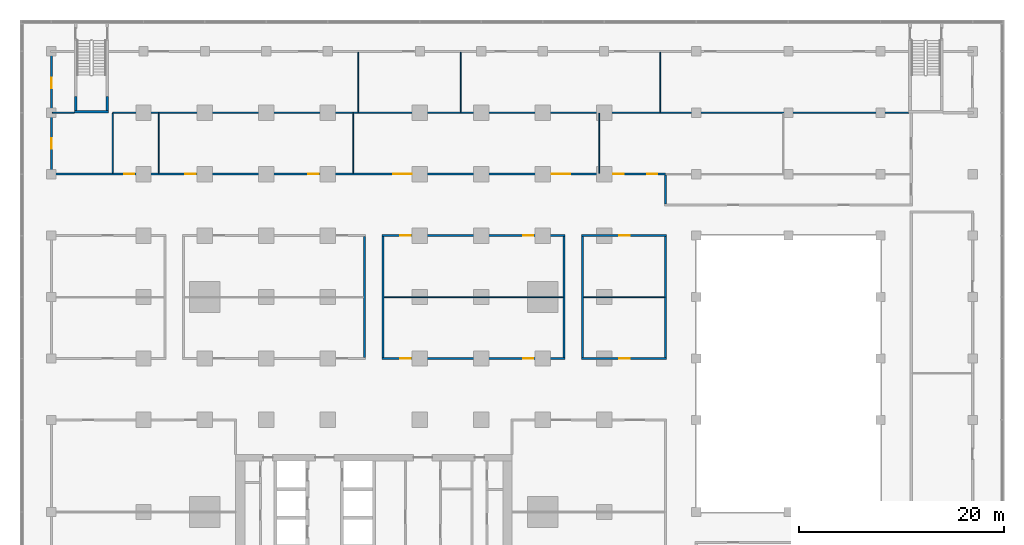
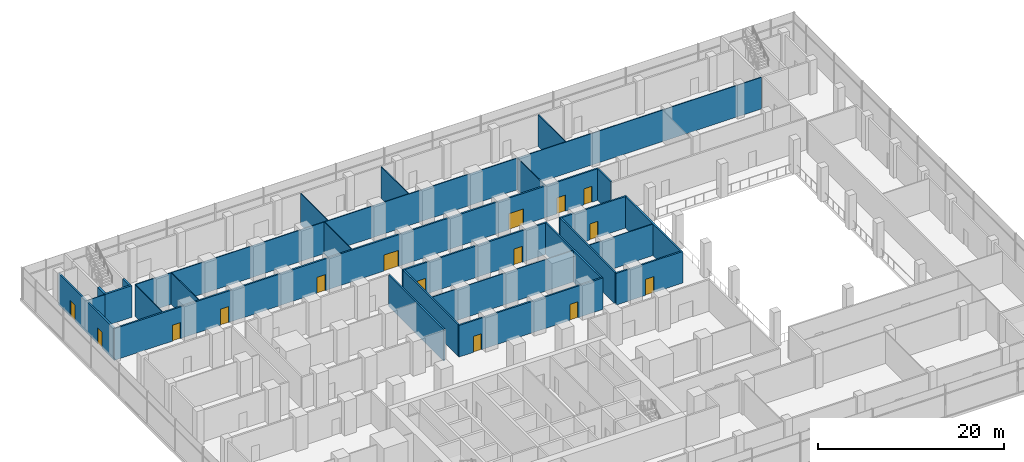
# One storey, part 16 of 22: 26 walls, 15 doors, 15 openings.
"""IFC4 building model written with IfcOpenShell, lengths in metres."""

from ifc_helpers import new_model, si_unit, direction, frame, frame_2d, origin, place, context, subcontext, project, spatial, rectangle, extrude, material, layer, layer_set, type_object, element, fill, save


model = new_model("IFC4")

# Units and contexts
model_context = context("Model", 3, precision=1e-05, world=origin(), true_north=direction((0.0, 1.0)))
body_context = subcontext(model_context, "Body", "Model", "MODEL_VIEW")
ifc_project = project(units=[si_unit("LENGTHUNIT", "METRE"), si_unit("AREAUNIT", "SQUARE_METRE"), si_unit("VOLUMEUNIT", "CUBIC_METRE"), si_unit("PLANEANGLEUNIT", "RADIAN"), si_unit("MASSUNIT", "GRAM", prefix="KILO")], contexts=[model_context])

# Site, building, storey
site_placement = place(None, origin())
site = spatial("IfcSite", under=ifc_project, at=site_placement, CompositionType="ELEMENT")
building_placement = place(site_placement, origin())
building = spatial("IfcBuilding", under=site, at=building_placement, Name="Finial Court Residences", CompositionType="ELEMENT")
storey_placement = place(building_placement, frame((0.0, 0.0, 23.5)))
storey = spatial("IfcBuildingStorey", under=building, at=storey_placement, Name="L04", CompositionType="ELEMENT", Elevation=23.5)

# Wall, openings, doors
ifc_material_1 = material(Name="Gypsum board")
ifc_layer_1 = layer(ifc_material_1, 0.02490234375)
ifc_material_2 = material(Name="Acoustic mineral wool in double frame")
ifc_layer_2 = layer(ifc_material_2, 0.14990234375)
ifc_layer_3 = layer(ifc_material_1, 0.02490234375)
ifc_layer_set_1 = layer_set([ifc_layer_1, ifc_layer_2, ifc_layer_3], Name="Corridor wall 200, 1 hour")
wall_type_1 = type_object("IfcWallType", Name="Corridor wall 200, 1 hour", PredefinedType="PARTITIONING", material=ifc_layer_set_1)
wall_1_placement = place(storey_placement, frame((0.800048828125, 1.5, 0.0), z_axis=(0.0, 0.0, 1.0), x_axis=(1.0, 0.0, 0.0)))
wall_1 = element("IfcWall", 1, at=wall_1_placement, inside=storey, type_object=wall_type_1, Name="Partition L04-020", PredefinedType="PARTITIONING", context=body_context, shape_type="SweptSolid", body=[
    extrude(rectangle(XDim=17.89990234375, YDim=0.199951171875, at=frame_2d((8.949951171875, 0.0))), origin(), (0.0, 0.0, 1.0), 4.14990234375),
])
opening_1_placement = place(wall_1_placement, frame((1.800048828125, 0.0, 0.0)))
opening_1 = element("IfcOpeningElement", 2, at=opening_1_placement, cuts=wall_1, Name="Opening L04-D020", PredefinedType="OPENING", context=body_context, shape_type="SweptSolid", body=[
    extrude(rectangle(XDim=1.0, YDim=2.10009765625, at=frame_2d((0.5, 1.050048828125))), frame((0.0, 0.10986328125, 0.0), z_axis=(0.0, -1.0, 0.0), x_axis=(1.0, 0.0, 0.0)), (0.0, 0.0, 1.0), 0.219970703125),
])
opening_2_placement = place(wall_1_placement, frame((13.800048828125, 0.0, 0.0)))
opening_2 = element("IfcOpeningElement", 3, at=opening_2_placement, cuts=wall_1, Name="Opening L04-D021", PredefinedType="OPENING", context=body_context, shape_type="SweptSolid", body=[
    extrude(rectangle(XDim=1.0, YDim=2.10009765625, at=frame_2d((0.5, 1.050048828125))), frame((0.0, 0.10986328125, 0.0), z_axis=(0.0, -1.0, 0.0), x_axis=(1.0, 0.0, 0.0)), (0.0, 0.0, 1.0), 0.219970703125),
])
ifc_material_3 = material(Name="Timber door leaf in hollow metal frame", Category="wood")
door_type_1 = type_object("IfcDoorType", Name="Fire door set 1000 x 2100, 30 minutes", OperationType="SINGLE_SWING_LEFT", PredefinedType="DOOR", material=ifc_material_3)
door_1_placement = place(opening_1_placement, origin())
door_1 = element("IfcDoor", 4, at=door_1_placement, inside=storey, type_object=door_type_1, Name="Door L04-D020", OperationType="SINGLE_SWING_RIGHT", OverallHeight=2.10009765625, OverallWidth=1.0, PredefinedType="DOOR", context=body_context, shape_type="SweptSolid", body=[
    extrude(rectangle(XDim=1.0, YDim=2.10009765625, at=frame_2d((0.5, 1.050048828125))), frame((0.0, 0.02490234375, 0.0), z_axis=(0.0, -1.0, 0.0), x_axis=(1.0, 0.0, 0.0)), (0.0, 0.0, 1.0), 0.050048828125),
])
fill(opening_1, door_1)
door_2_placement = place(opening_2_placement, origin())
door_2 = element("IfcDoor", 5, at=door_2_placement, inside=storey, type_object=door_type_1, Name="Door L04-D021", OperationType="SINGLE_SWING_LEFT", OverallHeight=2.10009765625, OverallWidth=1.0, PredefinedType="DOOR", context=body_context, shape_type="SweptSolid", body=[
    extrude(rectangle(XDim=1.0, YDim=2.10009765625, at=frame_2d((0.5, 1.050048828125))), frame((0.0, 0.02490234375, 0.0), z_axis=(0.0, -1.0, 0.0), x_axis=(1.0, 0.0, 0.0)), (0.0, 0.0, 1.0), 0.050048828125),
])
fill(opening_2, door_2)

# Wall, opening, door
wall_2_placement = place(storey_placement, frame((20.300048828125, 1.5, 0.0), z_axis=(0.0, 0.0, 1.0), x_axis=(1.0, 0.0, 0.0)))
wall_2 = element("IfcWall", 6, at=wall_2_placement, inside=storey, type_object=wall_type_1, Name="Partition L04-021", PredefinedType="PARTITIONING", context=body_context, shape_type="SweptSolid", body=[
    extrude(rectangle(XDim=8.300048828125, YDim=0.199951171875, at=frame_2d((4.14990234375, 0.0))), origin(), (0.0, 0.0, 1.0), 4.14990234375),
])
opening_3_placement = place(wall_2_placement, frame((3.699951171875, 0.0, 0.0)))
opening_3 = element("IfcOpeningElement", 7, at=opening_3_placement, cuts=wall_2, Name="Opening L04-D022", PredefinedType="OPENING", context=body_context, shape_type="SweptSolid", body=[
    extrude(rectangle(XDim=1.0, YDim=2.10009765625, at=frame_2d((0.5, 1.050048828125))), frame((0.0, 0.10986328125, 0.0), z_axis=(0.0, -1.0, 0.0), x_axis=(1.0, 0.0, 0.0)), (0.0, 0.0, 1.0), 0.219970703125),
])
door_3_placement = place(opening_3_placement, origin())
door_3 = element("IfcDoor", 8, at=door_3_placement, inside=storey, type_object=door_type_1, Name="Door L04-D022", OperationType="SINGLE_SWING_RIGHT", OverallHeight=2.10009765625, OverallWidth=1.0, PredefinedType="DOOR", context=body_context, shape_type="SweptSolid", body=[
    extrude(rectangle(XDim=1.0, YDim=2.10009765625, at=frame_2d((0.5, 1.050048828125))), frame((0.0, 0.02490234375, 0.0), z_axis=(0.0, -1.0, 0.0), x_axis=(1.0, 0.0, 0.0)), (0.0, 0.0, 1.0), 0.050048828125),
])
fill(opening_3, door_3)

# Wall, openings, doors
wall_3_placement = place(storey_placement, frame((0.800048828125, 13.5, 0.0), z_axis=(0.0, 0.0, 1.0), x_axis=(1.0, 0.0, 0.0)))
wall_3 = element("IfcWall", 9, at=wall_3_placement, inside=storey, type_object=wall_type_1, Name="Partition L04-028", PredefinedType="PARTITIONING", context=body_context, shape_type="SweptSolid", body=[
    extrude(rectangle(XDim=17.89990234375, YDim=0.199951171875, at=frame_2d((8.949951171875, 0.0))), origin(), (0.0, 0.0, 1.0), 4.14990234375),
])
opening_4_placement = place(wall_3_placement, frame((1.800048828125, 0.0, 0.0)))
opening_4 = element("IfcOpeningElement", 10, at=opening_4_placement, cuts=wall_3, Name="Opening L04-D026", PredefinedType="OPENING", context=body_context, shape_type="SweptSolid", body=[
    extrude(rectangle(XDim=1.0, YDim=2.10009765625, at=frame_2d((0.5, 1.050048828125))), frame((0.0, 0.10986328125, 0.0), z_axis=(0.0, -1.0, 0.0), x_axis=(1.0, 0.0, 0.0)), (0.0, 0.0, 1.0), 0.219970703125),
])
opening_5_placement = place(wall_3_placement, frame((13.800048828125, 0.0, 0.0)))
opening_5 = element("IfcOpeningElement", 11, at=opening_5_placement, cuts=wall_3, Name="Opening L04-D027", PredefinedType="OPENING", context=body_context, shape_type="SweptSolid", body=[
    extrude(rectangle(XDim=1.0, YDim=2.10009765625, at=frame_2d((0.5, 1.050048828125))), frame((0.0, 0.10986328125, 0.0), z_axis=(0.0, -1.0, 0.0), x_axis=(1.0, 0.0, 0.0)), (0.0, 0.0, 1.0), 0.219970703125),
])
door_4_placement = place(opening_4_placement, origin())
door_4 = element("IfcDoor", 12, at=door_4_placement, inside=storey, type_object=door_type_1, Name="Door L04-D026", OperationType="SINGLE_SWING_LEFT", OverallHeight=2.10009765625, OverallWidth=1.0, PredefinedType="DOOR", context=body_context, shape_type="SweptSolid", body=[
    extrude(rectangle(XDim=1.0, YDim=2.10009765625, at=frame_2d((0.5, 1.050048828125))), frame((0.0, 0.02490234375, 0.0), z_axis=(0.0, -1.0, 0.0), x_axis=(1.0, 0.0, 0.0)), (0.0, 0.0, 1.0), 0.050048828125),
])
fill(opening_4, door_4)
door_5_placement = place(opening_5_placement, origin())
door_5 = element("IfcDoor", 13, at=door_5_placement, inside=storey, type_object=door_type_1, Name="Door L04-D027", OperationType="SINGLE_SWING_RIGHT", OverallHeight=2.10009765625, OverallWidth=1.0, PredefinedType="DOOR", context=body_context, shape_type="SweptSolid", body=[
    extrude(rectangle(XDim=1.0, YDim=2.10009765625, at=frame_2d((0.5, 1.050048828125))), frame((0.0, 0.02490234375, 0.0), z_axis=(0.0, -1.0, 0.0), x_axis=(1.0, 0.0, 0.0)), (0.0, 0.0, 1.0), 0.050048828125),
])
fill(opening_5, door_5)

# Wall, opening, door
wall_4_placement = place(storey_placement, frame((20.300048828125, 13.5, 0.0), z_axis=(0.0, 0.0, 1.0), x_axis=(1.0, 0.0, 0.0)))
wall_4 = element("IfcWall", 14, at=wall_4_placement, inside=storey, type_object=wall_type_1, Name="Partition L04-029", PredefinedType="PARTITIONING", context=body_context, shape_type="SweptSolid", body=[
    extrude(rectangle(XDim=8.300048828125, YDim=0.199951171875, at=frame_2d((4.14990234375, 0.0))), origin(), (0.0, 0.0, 1.0), 4.14990234375),
])
opening_6_placement = place(wall_4_placement, frame((3.699951171875, 0.0, 0.0)))
opening_6 = element("IfcOpeningElement", 15, at=opening_6_placement, cuts=wall_4, Name="Opening L04-D028", PredefinedType="OPENING", context=body_context, shape_type="SweptSolid", body=[
    extrude(rectangle(XDim=1.0, YDim=2.10009765625, at=frame_2d((0.5, 1.050048828125))), frame((0.0, 0.10986328125, 0.0), z_axis=(0.0, -1.0, 0.0), x_axis=(1.0, 0.0, 0.0)), (0.0, 0.0, 1.0), 0.219970703125),
])
door_6_placement = place(opening_6_placement, origin())
door_6 = element("IfcDoor", 16, at=door_6_placement, inside=storey, type_object=door_type_1, Name="Door L04-D028", OperationType="SINGLE_SWING_LEFT", OverallHeight=2.10009765625, OverallWidth=1.0, PredefinedType="DOOR", context=body_context, shape_type="SweptSolid", body=[
    extrude(rectangle(XDim=1.0, YDim=2.10009765625, at=frame_2d((0.5, 1.050048828125))), frame((0.0, 0.02490234375, 0.0), z_axis=(0.0, -1.0, 0.0), x_axis=(1.0, 0.0, 0.0)), (0.0, 0.0, 1.0), 0.050048828125),
])
fill(opening_6, door_6)

# Wall, openings, doors
wall_5_placement = place(storey_placement, frame((-31.60009765625, 19.5, 0.0), z_axis=(0.0, 0.0, 1.0), x_axis=(1.0, 0.0, 0.0)))
wall_5 = element("IfcWall", 17, at=wall_5_placement, inside=storey, type_object=wall_type_1, Name="Partition L04-032", PredefinedType="PARTITIONING", context=body_context, shape_type="SweptSolid", body=[
    extrude(rectangle(XDim=60.10009765625, YDim=0.199951171875, at=frame_2d((30.050048828125, 0.0))), origin(), (0.0, 0.0, 1.0), 4.14990234375),
])
opening_7_placement = place(wall_5_placement, frame((7.199951171875, 0.0, 0.0)))
opening_7 = element("IfcOpeningElement", 18, at=opening_7_placement, cuts=wall_5, Name="Opening L04-D031", PredefinedType="OPENING", context=body_context, shape_type="SweptSolid", body=[
    extrude(rectangle(XDim=1.0, YDim=2.10009765625, at=frame_2d((0.5, 1.050048828125))), frame((0.0, 0.10986328125, 0.0), z_axis=(0.0, -1.0, 0.0), x_axis=(1.0, 0.0, 0.0)), (0.0, 0.0, 1.0), 0.219970703125),
])
opening_8_placement = place(wall_5_placement, frame((13.199951171875, 0.0, 0.0)))
opening_8 = element("IfcOpeningElement", 19, at=opening_8_placement, cuts=wall_5, Name="Opening L04-D032", PredefinedType="OPENING", context=body_context, shape_type="SweptSolid", body=[
    extrude(rectangle(XDim=1.0, YDim=2.10009765625, at=frame_2d((0.5, 1.050048828125))), frame((0.0, 0.10986328125, 0.0), z_axis=(0.0, -1.0, 0.0), x_axis=(1.0, 0.0, 0.0)), (0.0, 0.0, 1.0), 0.219970703125),
])
opening_9_placement = place(wall_5_placement, frame((25.199951171875, 0.0, 0.0)))
opening_9 = element("IfcOpeningElement", 20, at=opening_9_placement, cuts=wall_5, Name="Opening L04-D033", PredefinedType="OPENING", context=body_context, shape_type="SweptSolid", body=[
    extrude(rectangle(XDim=1.0, YDim=2.10009765625, at=frame_2d((0.5, 1.050048828125))), frame((0.0, 0.10986328125, 0.0), z_axis=(0.0, -1.0, 0.0), x_axis=(1.0, 0.0, 0.0)), (0.0, 0.0, 1.0), 0.219970703125),
])
opening_10_placement = place(wall_5_placement, frame((33.5, 0.0, 0.0)))
opening_10 = element("IfcOpeningElement", 21, at=opening_10_placement, cuts=wall_5, Name="Opening L04-D034", PredefinedType="OPENING", context=body_context, shape_type="SweptSolid", body=[
    extrude(rectangle(XDim=1.800048828125, YDim=2.10009765625, at=frame_2d((0.89990234375, 1.050048828125))), frame((0.0, 0.10986328125, 0.0), z_axis=(0.0, -1.0, 0.0), x_axis=(1.0, 0.0, 0.0)), (0.0, 0.0, 1.0), 0.219970703125),
])
opening_11_placement = place(wall_5_placement, frame((49.0, 0.0, 0.0)))
opening_11 = element("IfcOpeningElement", 22, at=opening_11_placement, cuts=wall_5, Name="Opening L04-D035", PredefinedType="OPENING", context=body_context, shape_type="SweptSolid", body=[
    extrude(rectangle(XDim=1.800048828125, YDim=2.10009765625, at=frame_2d((0.89990234375, 1.050048828125))), frame((0.0, 0.10986328125, 0.0), z_axis=(0.0, -1.0, 0.0), x_axis=(1.0, 0.0, 0.0)), (0.0, 0.0, 1.0), 0.219970703125),
])
opening_12_placement = place(wall_5_placement, frame((55.0, 0.0, 0.0)))
opening_12 = element("IfcOpeningElement", 23, at=opening_12_placement, cuts=wall_5, Name="Opening L04-D036", PredefinedType="OPENING", context=body_context, shape_type="SweptSolid", body=[
    extrude(rectangle(XDim=1.0, YDim=2.10009765625, at=frame_2d((0.5, 1.050048828125))), frame((0.0, 0.10986328125, 0.0), z_axis=(0.0, -1.0, 0.0), x_axis=(1.0, 0.0, 0.0)), (0.0, 0.0, 1.0), 0.219970703125),
])
opening_13_placement = place(wall_5_placement, frame((58.300048828125, 0.0, 0.0)))
opening_13 = element("IfcOpeningElement", 24, at=opening_13_placement, cuts=wall_5, Name="Opening L04-D037", PredefinedType="OPENING", context=body_context, shape_type="SweptSolid", body=[
    extrude(rectangle(XDim=1.0, YDim=2.10009765625, at=frame_2d((0.5, 1.050048828125))), frame((0.0, 0.10986328125, 0.0), z_axis=(0.0, -1.0, 0.0), x_axis=(1.0, 0.0, 0.0)), (0.0, 0.0, 1.0), 0.219970703125),
])
door_7_placement = place(opening_7_placement, origin())
door_7 = element("IfcDoor", 25, at=door_7_placement, inside=storey, type_object=door_type_1, Name="Door L04-D031", OperationType="SINGLE_SWING_RIGHT", OverallHeight=2.10009765625, OverallWidth=1.0, PredefinedType="DOOR", context=body_context, shape_type="SweptSolid", body=[
    extrude(rectangle(XDim=1.0, YDim=2.10009765625, at=frame_2d((0.5, 1.050048828125))), frame((0.0, 0.02490234375, 0.0), z_axis=(0.0, -1.0, 0.0), x_axis=(1.0, 0.0, 0.0)), (0.0, 0.0, 1.0), 0.050048828125),
])
fill(opening_7, door_7)
door_8_placement = place(opening_8_placement, origin())
door_8 = element("IfcDoor", 26, at=door_8_placement, inside=storey, type_object=door_type_1, Name="Door L04-D032", OperationType="SINGLE_SWING_RIGHT", OverallHeight=2.10009765625, OverallWidth=1.0, PredefinedType="DOOR", context=body_context, shape_type="SweptSolid", body=[
    extrude(rectangle(XDim=1.0, YDim=2.10009765625, at=frame_2d((0.5, 1.050048828125))), frame((0.0, 0.02490234375, 0.0), z_axis=(0.0, -1.0, 0.0), x_axis=(1.0, 0.0, 0.0)), (0.0, 0.0, 1.0), 0.050048828125),
])
fill(opening_8, door_8)
door_9_placement = place(opening_9_placement, origin())
door_9 = element("IfcDoor", 27, at=door_9_placement, inside=storey, type_object=door_type_1, Name="Door L04-D033", OperationType="SINGLE_SWING_RIGHT", OverallHeight=2.10009765625, OverallWidth=1.0, PredefinedType="DOOR", context=body_context, shape_type="SweptSolid", body=[
    extrude(rectangle(XDim=1.0, YDim=2.10009765625, at=frame_2d((0.5, 1.050048828125))), frame((0.0, 0.02490234375, 0.0), z_axis=(0.0, -1.0, 0.0), x_axis=(1.0, 0.0, 0.0)), (0.0, 0.0, 1.0), 0.050048828125),
])
fill(opening_9, door_9)
door_10_placement = place(opening_12_placement, origin())
door_10 = element("IfcDoor", 28, at=door_10_placement, inside=storey, type_object=door_type_1, Name="Door L04-D036", OperationType="SINGLE_SWING_LEFT", OverallHeight=2.10009765625, OverallWidth=1.0, PredefinedType="DOOR", context=body_context, shape_type="SweptSolid", body=[
    extrude(rectangle(XDim=1.0, YDim=2.10009765625, at=frame_2d((0.5, 1.050048828125))), frame((0.0, 0.02490234375, 0.0), z_axis=(0.0, -1.0, 0.0), x_axis=(1.0, 0.0, 0.0)), (0.0, 0.0, 1.0), 0.050048828125),
])
fill(opening_12, door_10)
door_11_placement = place(opening_13_placement, origin())
door_11 = element("IfcDoor", 29, at=door_11_placement, inside=storey, type_object=door_type_1, Name="Door L04-D037", OperationType="SINGLE_SWING_LEFT", OverallHeight=2.10009765625, OverallWidth=1.0, PredefinedType="DOOR", context=body_context, shape_type="SweptSolid", body=[
    extrude(rectangle(XDim=1.0, YDim=2.10009765625, at=frame_2d((0.5, 1.050048828125))), frame((0.0, 0.02490234375, 0.0), z_axis=(0.0, -1.0, 0.0), x_axis=(1.0, 0.0, 0.0)), (0.0, 0.0, 1.0), 0.050048828125),
])
fill(opening_13, door_11)
door_type_2 = type_object("IfcDoorType", Name="Fire door set 1800 x 2100, 30 minutes", OperationType="DOUBLE_DOOR_SINGLE_SWING", PredefinedType="DOOR", material=ifc_material_3)
door_12_placement = place(opening_10_placement, origin())
door_12 = element("IfcDoor", 30, at=door_12_placement, inside=storey, type_object=door_type_2, Name="Door L04-D034", OperationType="DOUBLE_DOOR_SINGLE_SWING", OverallHeight=2.10009765625, OverallWidth=1.800048828125, PredefinedType="DOOR", context=body_context, shape_type="SweptSolid", body=[
    extrude(rectangle(XDim=1.800048828125, YDim=2.10009765625, at=frame_2d((0.89990234375, 1.050048828125))), frame((0.0, 0.02490234375, 0.0), z_axis=(0.0, -1.0, 0.0), x_axis=(1.0, 0.0, 0.0)), (0.0, 0.0, 1.0), 0.050048828125),
])
fill(opening_10, door_12)
door_13_placement = place(opening_11_placement, origin())
door_13 = element("IfcDoor", 31, at=door_13_placement, inside=storey, type_object=door_type_2, Name="Door L04-D035", OperationType="DOUBLE_DOOR_SINGLE_SWING", OverallHeight=2.10009765625, OverallWidth=1.800048828125, PredefinedType="DOOR", context=body_context, shape_type="SweptSolid", body=[
    extrude(rectangle(XDim=1.800048828125, YDim=2.10009765625, at=frame_2d((0.89990234375, 1.050048828125))), frame((0.0, 0.02490234375, 0.0), z_axis=(0.0, -1.0, 0.0), x_axis=(1.0, 0.0, 0.0)), (0.0, 0.0, 1.0), 0.050048828125),
])
fill(opening_11, door_13)

wall_6_placement = place(storey_placement, frame((-31.5, 19.60009765625, 0.0), z_axis=(0.0, 0.0, 1.0), x_axis=(0.0, 1.0, 0.0)))
wall_6 = element("IfcWall", 32, at=wall_6_placement, inside=storey, type_object=wall_type_1, Name="Partition L04-043", PredefinedType="PARTITIONING", context=body_context, shape_type="SweptSolid", body=[
    extrude(rectangle(XDim=11.7998046875, YDim=0.199951171875, at=frame_2d((5.89990234375, 0.0))), origin(), (0.0, 0.0, 1.0), 4.14990234375),
])
opening_14_placement = place(wall_6_placement, frame((2.39990234375, 0.0, 0.0)))
opening_14 = element("IfcOpeningElement", 33, at=opening_14_placement, cuts=wall_6, Name="Opening L04-D045", PredefinedType="OPENING", context=body_context, shape_type="SweptSolid", body=[
    extrude(rectangle(XDim=1.0, YDim=2.10009765625, at=frame_2d((0.5, 1.050048828125))), frame((0.0, 0.10986328125, 0.0), z_axis=(0.0, -1.0, 0.0), x_axis=(1.0, 0.0, 0.0)), (0.0, 0.0, 1.0), 0.219970703125),
])
opening_15_placement = place(wall_6_placement, frame((8.300048828125, 0.0, 0.0)))
opening_15 = element("IfcOpeningElement", 34, at=opening_15_placement, cuts=wall_6, Name="Opening L04-D046", PredefinedType="OPENING", context=body_context, shape_type="SweptSolid", body=[
    extrude(rectangle(XDim=1.0, YDim=2.10009765625, at=frame_2d((0.5, 1.050048828125))), frame((0.0, 0.10986328125, 0.0), z_axis=(0.0, -1.0, 0.0), x_axis=(1.0, 0.0, 0.0)), (0.0, 0.0, 1.0), 0.219970703125),
])
door_14_placement = place(opening_14_placement, origin())
door_14 = element("IfcDoor", 35, at=door_14_placement, inside=storey, type_object=door_type_1, Name="Door L04-D045", OperationType="SINGLE_SWING_LEFT", OverallHeight=2.10009765625, OverallWidth=1.0, PredefinedType="DOOR", context=body_context, shape_type="SweptSolid", body=[
    extrude(rectangle(XDim=1.0, YDim=2.10009765625, at=frame_2d((0.5, 1.050048828125))), frame((0.0, 0.02490234375, 0.0), z_axis=(0.0, -1.0, 0.0), x_axis=(1.0, 0.0, 0.0)), (0.0, 0.0, 1.0), 0.050048828125),
])
fill(opening_14, door_14)
door_15_placement = place(opening_15_placement, origin())
door_15 = element("IfcDoor", 36, at=door_15_placement, inside=storey, type_object=door_type_1, Name="Door L04-D046", OperationType="SINGLE_SWING_RIGHT", OverallHeight=2.10009765625, OverallWidth=1.0, PredefinedType="DOOR", context=body_context, shape_type="SweptSolid", body=[
    extrude(rectangle(XDim=1.0, YDim=2.10009765625, at=frame_2d((0.5, 1.050048828125))), frame((0.0, 0.02490234375, 0.0), z_axis=(0.0, -1.0, 0.0), x_axis=(1.0, 0.0, 0.0)), (0.0, 0.0, 1.0), 0.050048828125),
])
fill(opening_15, door_15)

# Walls
for number, where, z_axis, x_axis, name in (
    (37, (-0.89990234375, 1.60009765625, 0.0), (0.0, 0.0, 1.0), (0.0, 1.0, 0.0), "Partition L04-053"),
    (38, (0.89990234375, 1.60009765625, 0.0), (0.0, 0.0, 1.0), (0.0, 1.0, 0.0), "Partition L04-054"),
    (39, (18.60009765625, 1.60009765625, 0.0), (0.0, 0.0, 1.0), (0.0, 1.0, 0.0), "Partition L04-058"),
    (40, (20.39990234375, 1.60009765625, 0.0), (0.0, 0.0, 1.0), (0.0, 1.0, 0.0), "Partition L04-059"),
    (41, (28.5, 1.60009765625, 0.0), (0.0, 0.0, 1.0), (0.0, 1.0, 0.0), "Partition L04-064"),
):
    element("IfcWall", number, at=place(storey_placement, frame(where, z_axis=z_axis, x_axis=x_axis)), inside=storey, type_object=wall_type_1, Name=name, PredefinedType="PARTITIONING", context=body_context, shape_type="SweptSolid", body=[
        extrude(rectangle(XDim=11.7998046875, YDim=0.199951171875, at=frame_2d((5.89990234375, 0.0))), origin(), (0.0, 0.0, 1.0), 4.14990234375),
    ])
wall_7_placement = place(storey_placement, frame((28.5, 16.60009765625, 0.0), z_axis=(0.0, 0.0, 1.0), x_axis=(0.0, 1.0, 0.0)))
element("IfcWall", 42, at=wall_7_placement, inside=storey, type_object=wall_type_1, Name="Partition L04-065", PredefinedType="PARTITIONING", context=body_context, shape_type="SweptSolid", body=[
    extrude(rectangle(XDim=2.7998046875, YDim=0.199951171875, at=frame_2d((1.39990234375, 0.0))), origin(), (0.0, 0.0, 1.0), 4.14990234375),
])
ifc_layer_4 = layer(ifc_material_1, 0.012451171875)
ifc_material_4 = material(Name="Mineral wool in light-gauge frame")
ifc_layer_5 = layer(ifc_material_4, 0.074951171875)
ifc_layer_6 = layer(ifc_material_1, 0.012451171875)
ifc_layer_set_2 = layer_set([ifc_layer_4, ifc_layer_5, ifc_layer_6], Name="Gypsum board partition 100")
wall_type_2 = type_object("IfcWallType", Name="Gypsum board partition 100", PredefinedType="PARTITIONING", material=ifc_layer_set_2)
wall_8_placement = place(storey_placement, frame((1.0, 7.5, 0.0), z_axis=(0.0, 0.0, 1.0), x_axis=(1.0, 0.0, 0.0)))
element("IfcWall", 43, at=wall_8_placement, inside=storey, type_object=wall_type_2, Name="Partition L04-024", PredefinedType="PARTITIONING", context=body_context, shape_type="SweptSolid", body=[
    extrude(rectangle(XDim=17.5, YDim=0.10009765625, at=frame_2d((8.75, 0.0))), origin(), (0.0, 0.0, 1.0), 4.14990234375),
])
wall_9_placement = place(storey_placement, frame((20.5, 7.5, 0.0), z_axis=(0.0, 0.0, 1.0), x_axis=(1.0, 0.0, 0.0)))
element("IfcWall", 44, at=wall_9_placement, inside=storey, type_object=wall_type_2, Name="Partition L04-025", PredefinedType="PARTITIONING", context=body_context, shape_type="SweptSolid", body=[
    extrude(rectangle(XDim=7.89990234375, YDim=0.10009765625, at=frame_2d((3.949951171875, 0.0))), origin(), (0.0, 0.0, 1.0), 4.14990234375),
])
wall_10_placement = place(storey_placement, frame((-31.39990234375, 25.5, 0.0), z_axis=(0.0, 0.0, 1.0), x_axis=(1.0, 0.0, 0.0)))
element("IfcWall", 45, at=wall_10_placement, inside=storey, type_object=wall_type_2, Name="Partition L04-035", PredefinedType="PARTITIONING", context=body_context, shape_type="SweptSolid", body=[
    extrude(rectangle(XDim=2.14990234375, YDim=0.10009765625, at=frame_2d((1.074951171875, 0.0))), origin(), (0.0, 0.0, 1.0), 4.14990234375),
])
wall_11_placement = place(storey_placement, frame((-25.5, 25.5, 0.0), z_axis=(0.0, 0.0, 1.0), x_axis=(1.0, 0.0, 0.0)))
element("IfcWall", 46, at=wall_11_placement, inside=storey, type_object=wall_type_2, Name="Partition L04-036", PredefinedType="PARTITIONING", context=body_context, shape_type="SweptSolid", body=[
    extrude(rectangle(XDim=77.75, YDim=0.10009765625, at=frame_2d((38.875, 0.0))), origin(), (0.0, 0.0, 1.0), 4.14990234375),
])
for number, where, z_axis, x_axis, name in (
    (47, (-25.5, 19.60009765625, 0.0), (0.0, 0.0, 1.0), (0.0, 1.0, 0.0), "Partition L04-044"),
    (48, (-21.0, 19.60009765625, 0.0), (0.0, 0.0, 1.0), (0.0, 1.0, 0.0), "Partition L04-045"),
    (49, (-2.0, 19.60009765625, 0.0), (0.0, 0.0, 1.0), (0.0, 1.0, 0.0), "Partition L04-051"),
    (50, (-1.5, 25.550048828125, 0.0), (0.0, 0.0, 1.0), (0.0, 1.0, 0.0), "Partition L04-052"),
    (51, (8.5, 25.550048828125, 0.0), (0.0, 0.0, 1.0), (0.0, 1.0, 0.0), "Partition L04-055"),
    (52, (22.0, 19.60009765625, 0.0), (0.0, 0.0, 1.0), (0.0, 1.0, 0.0), "Partition L04-061"),
    (53, (28.0, 25.550048828125, 0.0), (0.0, 0.0, 1.0), (0.0, 1.0, 0.0), "Partition L04-062"),
):
    element("IfcWall", number, at=place(storey_placement, frame(where, z_axis=z_axis, x_axis=x_axis)), inside=storey, type_object=wall_type_2, Name=name, PredefinedType="PARTITIONING", context=body_context, shape_type="SweptSolid", body=[
        extrude(rectangle(XDim=5.849853515625, YDim=0.10009765625, at=frame_2d((2.9248046875, 0.0))), origin(), (0.0, 0.0, 1.0), 4.14990234375),
    ])
ifc_material_5 = material(Name="Concrete C50/60", Category="concrete")
ifc_layer_7 = layer(ifc_material_5, 0.25)
ifc_layer_set_3 = layer_set([ifc_layer_7], Name="Stair enclosure wall 250 Concrete C50/60")
wall_type_3 = type_object("IfcWallType", Name="Stair enclosure wall 250 Concrete C50/60", PredefinedType="SHEAR", material=ifc_layer_set_3)
for number, where, z_axis, x_axis, name in (
    (54, (-29.125, 25.719970703125, 0.0), (0.0, 0.0, 1.0), (0.0, 1.0, 0.0), "Exit Stair 6 enclosure wall L04-W3"),
    (55, (-26.02490234375, 25.719970703125, 0.0), (0.0, 0.0, 1.0), (0.0, 1.0, 0.0), "Exit Stair 6 enclosure wall L04-E3"),
):
    element("IfcWall", number, at=place(storey_placement, frame(where, z_axis=z_axis, x_axis=x_axis)), inside=storey, type_object=wall_type_3, Name=name, PredefinedType="SHEAR", context=body_context, shape_type="SweptSolid", body=[
        extrude(rectangle(XDim=1.35009765625, YDim=0.25, at=frame_2d((0.675048828125, 0.0))), origin(), (0.0, 0.0, 1.0), 4.14990234375),
    ])
wall_12_placement = place(storey_placement, frame((-29.25, 25.594970703125, 0.0), z_axis=(0.0, 0.0, 1.0), x_axis=(1.0, 0.0, 0.0)))
element("IfcWall", 56, at=wall_12_placement, inside=storey, type_object=wall_type_3, Name="Exit Stair 6 enclosure wall L04-N", PredefinedType="SHEAR", context=body_context, shape_type="SweptSolid", body=[
    extrude(rectangle(XDim=3.35009765625, YDim=0.25, at=frame_2d((1.675048828125, 0.0))), origin(), (0.0, 0.0, 1.0), 4.14990234375),
])

save(model, "model.ifc")
